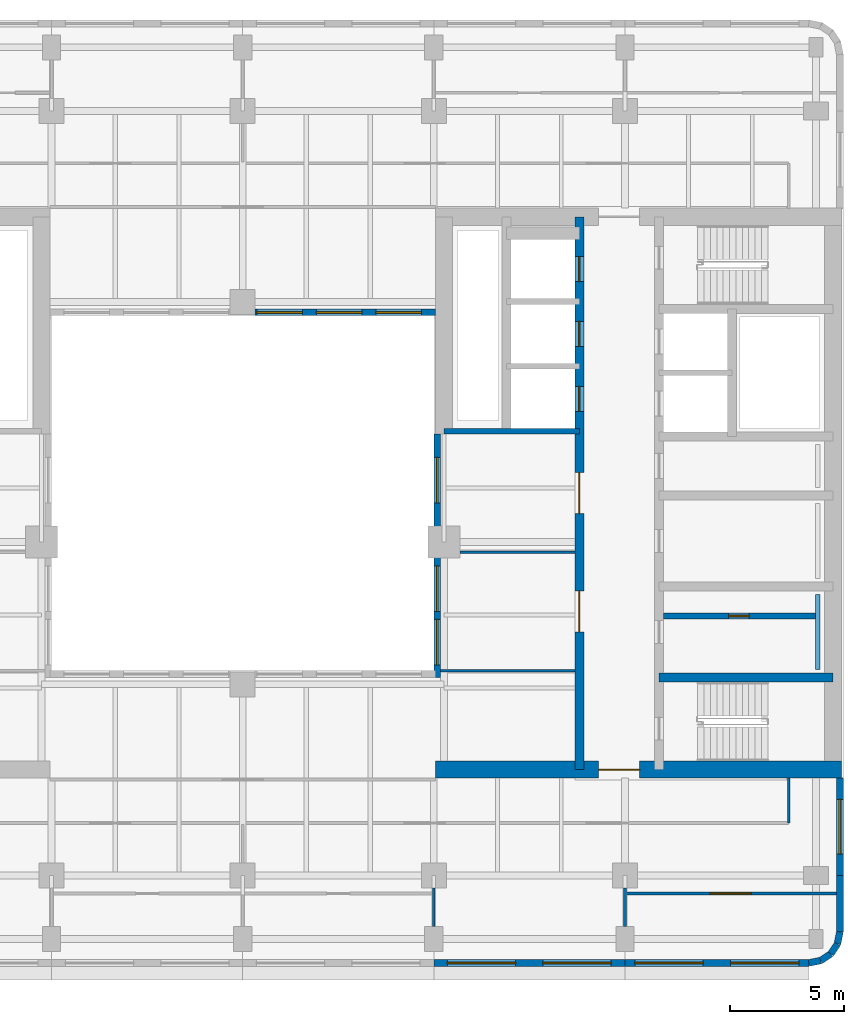
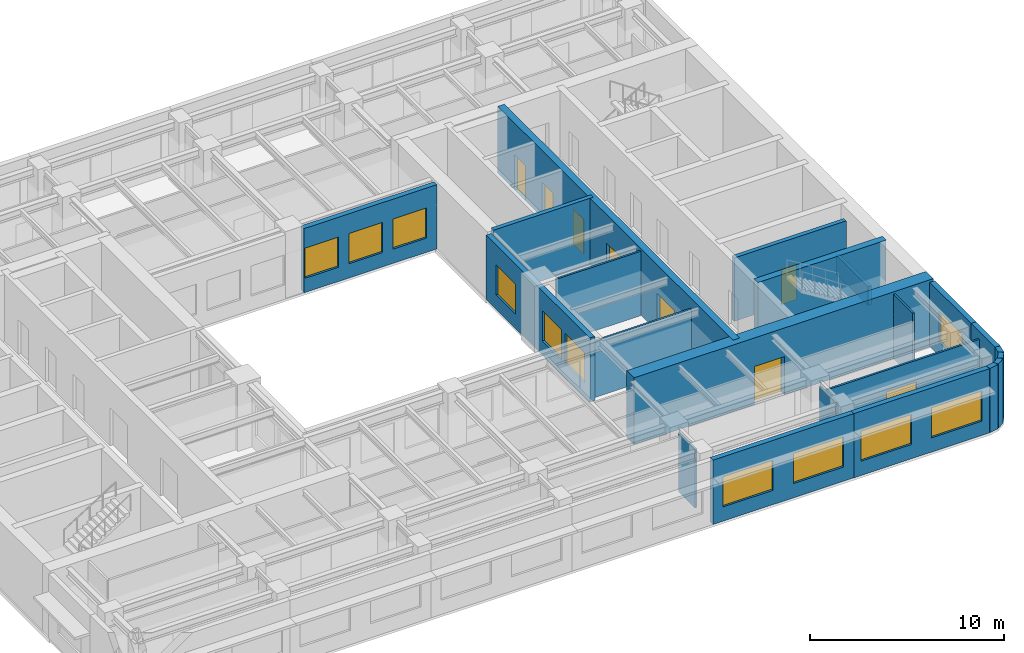
# One storey, part 5 of 11: 22 walls, 11 windows, 8 doors, 19 openings.
"""IFC4 building model written with IfcOpenShell, lengths in metres."""

from ifc_helpers import new_model, si_unit, direction, frame, frame_2d, origin, place, context, subcontext, project, spatial, rectangle, extrude, material, layer, layer_set, type_object, element, fill, save


model = new_model("IFC4")

# Units and contexts
model_context = context("Model", 3, precision=1e-05, world=origin(), true_north=direction((0.0, 1.0)))
body_context = subcontext(model_context, "Body", "Model", "MODEL_VIEW")
ifc_project = project(units=[si_unit("LENGTHUNIT", "METRE"), si_unit("AREAUNIT", "SQUARE_METRE"), si_unit("VOLUMEUNIT", "CUBIC_METRE"), si_unit("PLANEANGLEUNIT", "RADIAN"), si_unit("MASSUNIT", "GRAM", prefix="KILO")], contexts=[model_context])

# Site, building, storey
site_placement = place(None, origin())
site = spatial("IfcSite", under=ifc_project, at=site_placement, CompositionType="ELEMENT")
building_placement = place(site_placement, origin())
building = spatial("IfcBuilding", under=site, at=building_placement, Name="Claustro Exchange Tower", CompositionType="ELEMENT")
storey_placement = place(building_placement, frame((0.0, 0.0, 198.60009765625)))
storey = spatial("IfcBuildingStorey", under=building, at=storey_placement, Name="L45", CompositionType="ELEMENT", Elevation=198.60009765625)

# Walls
ifc_material_1 = material(Name="Laminated glass in aluminium frame", Category="aluminium")
ifc_layer_1 = layer(ifc_material_1, 0.1201171875)
ifc_layer_set_1 = layer_set([ifc_layer_1], Name="Laminated glass in aluminium frame")
wall_type_1 = type_object("IfcWallType", Name="P2 120 glazed partition", PredefinedType="PARTITIONING", material=ifc_layer_set_1)
wall_1_placement = place(storey_placement, frame((33.89794921875, 17.39990234375, 0.0), z_axis=(0.0, 0.0, 1.0), x_axis=(1.0, 0.0, 0.0)))
element("IfcWall", 1, at=wall_1_placement, inside=storey, type_object=wall_type_1, Name="Partition P2 L45", PredefinedType="PARTITIONING", context=body_context, shape_type="SweptSolid", body=[
    extrude(rectangle(XDim=5.904052734375, YDim=0.1201171875, at=frame_2d((2.9521484375, 0.0))), origin(), (0.0, 0.0, 1.0), 3.5498046875),
])
wall_2_placement = place(storey_placement, frame((34.7490234375, 22.60009765625, 0.0), z_axis=(0.0, 0.0, 1.0), x_axis=(1.0, 0.0, 0.0)))
element("IfcWall", 2, at=wall_2_placement, inside=storey, type_object=wall_type_1, Name="Partition P2 L45", PredefinedType="PARTITIONING", context=body_context, shape_type="SweptSolid", body=[
    extrude(rectangle(XDim=5.052978515625, YDim=0.1201171875, at=frame_2d((2.5263671875, 0.0))), origin(), (0.0, 0.0, 1.0), 4.0498046875),
])
wall_3_placement = place(storey_placement, frame((33.60009765625, 6.14892578125, 0.0), z_axis=(0.0, 0.0, 1.0), x_axis=(0.0, 1.0, 0.0)))
element("IfcWall", 3, at=wall_3_placement, inside=storey, type_object=wall_type_1, Name="Partition P2 L45", PredefinedType="PARTITIONING", context=body_context, shape_type="SweptSolid", body=[
    extrude(rectangle(XDim=1.703125, YDim=0.1201171875, at=frame_2d((0.8515625, 0.0))), origin(), (0.0, 0.0, 1.0), 3.68994140625),
])

# Wall, opening, door
wall_4_placement = place(storey_placement, frame((42.0, 7.60009765625, 0.0), z_axis=(0.0, 0.0, 1.0), x_axis=(1.0, 0.0, 0.0)))
wall_4 = element("IfcWall", 4, at=wall_4_placement, inside=storey, type_object=wall_type_1, Name="Partition P2 L45", PredefinedType="PARTITIONING", context=body_context, shape_type="SweptSolid", body=[
    extrude(rectangle(XDim=9.302001953125, YDim=0.1201171875, at=frame_2d((4.65087890625, 0.0))), origin(), (0.0, 0.0, 1.0), 3.559814453125),
])
opening_1_placement = place(wall_4_placement, frame((3.75, 0.0, 0.0)))
opening_1 = element("IfcOpeningElement", 5, at=opening_1_placement, cuts=wall_4, Name="Opening D2", PredefinedType="OPENING", context=body_context, shape_type="SweptSolid", body=[
    extrude(rectangle(XDim=1.800048828125, YDim=2.199951171875, at=frame_2d((0.89990234375, 1.10009765625))), frame((0.0, 0.070068359375, 0.0), z_axis=(0.0, -1.0, 0.0), x_axis=(1.0, 0.0, 0.0)), (0.0, 0.0, 1.0), 0.14013671875),
])
ifc_material_2 = material(Name="Timber door, oak veneer", Category="wood")
door_type_1 = type_object("IfcDoorType", Name="D2 1800 x 2200 double door", OperationType="DOUBLE_DOOR_SINGLE_SWING", PredefinedType="DOOR", material=ifc_material_2)
door_1_placement = place(opening_1_placement, frame((1.800048828125, 0.0, 0.0), z_axis=(0.0, 0.0, 1.0), x_axis=(-1.0, 0.0, 0.0)))
door_1 = element("IfcDoor", 6, at=door_1_placement, inside=storey, type_object=door_type_1, Name="Double door D2 L45", OperationType="DOUBLE_DOOR_SINGLE_SWING", OverallHeight=2.199951171875, OverallWidth=1.800048828125, PredefinedType="DOOR", context=body_context, shape_type="SweptSolid", body=[
    extrude(rectangle(XDim=1.800048828125, YDim=2.199951171875, at=frame_2d((0.89990234375, 1.10009765625))), frame((0.0, 0.02490234375, 0.0), z_axis=(0.0, -1.0, 0.0), x_axis=(1.0, 0.0, 0.0)), (0.0, 0.0, 1.0), 0.050048828125),
])
fill(opening_1, door_1)

# Walls
wall_5_placement = place(storey_placement, frame((42.0, 6.14892578125, 0.0), z_axis=(0.0, 0.0, 1.0), x_axis=(0.0, 1.0, 0.0)))
element("IfcWall", 7, at=wall_5_placement, inside=storey, type_object=wall_type_1, Name="Partition P2 L45", PredefinedType="PARTITIONING", context=body_context, shape_type="SweptSolid", body=[
    extrude(rectangle(XDim=1.703125, YDim=0.1201171875, at=frame_2d((0.8515625, 0.0))), origin(), (0.0, 0.0, 1.0), 3.68994140625),
])
wall_6_placement = place(storey_placement, frame((49.199951171875, 10.699951171875, 0.0), z_axis=(0.0, 0.0, 1.0), x_axis=(0.0, 1.0, 0.0)))
element("IfcWall", 8, at=wall_6_placement, inside=storey, type_object=wall_type_1, Name="Partition P2 L45", PredefinedType="PARTITIONING", context=body_context, shape_type="SweptSolid", body=[
    extrude(rectangle(XDim=1.97607421875, YDim=0.1201171875, at=frame_2d((0.988037109375, 0.0))), origin(), (0.0, 0.0, 1.0), 4.0498046875),
])

# Wall, opening, door
ifc_material_3 = material(Name="Concrete blockwork, rendered", Category="masonry")
ifc_layer_2 = layer(ifc_material_3, 0.25)
ifc_layer_set_2 = layer_set([ifc_layer_2], Name="Concrete blockwork, rendered")
wall_type_2 = type_object("IfcWallType", Name="P4 250 blockwork wall", PredefinedType="PARTITIONING", material=ifc_layer_set_2)
wall_7_placement = place(storey_placement, frame((43.699951171875, 19.800048828125, 0.0), z_axis=(0.0, 0.0, 1.0), x_axis=(1.0, 0.0, 0.0)))
wall_7 = element("IfcWall", 9, at=wall_7_placement, inside=storey, type_object=wall_type_2, Name="Partition P4 L45", PredefinedType="PARTITIONING", context=body_context, shape_type="SweptSolid", body=[
    extrude(rectangle(XDim=6.675048828125, YDim=0.25, at=frame_2d((3.33740234375, 0.0))), origin(), (0.0, 0.0, 1.0), 4.0),
])
opening_2_placement = place(wall_7_placement, frame((2.862548828125, 0.0, 0.0)))
opening_2 = element("IfcOpeningElement", 10, at=opening_2_placement, cuts=wall_7, Name="Opening D5", PredefinedType="OPENING", context=body_context, shape_type="SweptSolid", body=[
    extrude(rectangle(XDim=0.89990234375, YDim=2.199951171875, at=frame_2d((0.449951171875, 1.10009765625))), frame((0.0, 0.135009765625, 0.0), z_axis=(0.0, -1.0, 0.0), x_axis=(1.0, 0.0, 0.0)), (0.0, 0.0, 1.0), 0.27001953125),
])
ifc_material_4 = material(Name="Steel door, painted", Category="steel")
door_type_2 = type_object("IfcDoorType", Name="D5 900 x 2200 store door", OperationType="SINGLE_SWING_LEFT", PredefinedType="DOOR", material=ifc_material_4)
door_2_placement = place(opening_2_placement, origin())
door_2 = element("IfcDoor", 11, at=door_2_placement, inside=storey, type_object=door_type_2, Name="Store door D5 L45", OperationType="SINGLE_SWING_LEFT", OverallHeight=2.199951171875, OverallWidth=0.89990234375, PredefinedType="DOOR", context=body_context, shape_type="SweptSolid", body=[
    extrude(rectangle(XDim=0.89990234375, YDim=2.199951171875, at=frame_2d((0.449951171875, 1.10009765625))), frame((0.0, 0.02490234375, 0.0), z_axis=(0.0, -1.0, 0.0), x_axis=(1.0, 0.0, 0.0)), (0.0, 0.0, 1.0), 0.050048828125),
])
fill(opening_2, door_2)

# Wall, openings, windows
ifc_material_5 = material(Name="Concrete HA-40 (C40/50), precast, white cement, acid-etched", Category="concrete")
ifc_layer_3 = layer(ifc_material_5, 0.300048828125)
ifc_layer_set_3 = layer_set([ifc_layer_3], Name="Concrete HA-40 (C40/50), precast, white cement, acid-etched")
wall_type_3 = type_object("IfcWallType", Name="PC1 300 precast concrete pier panel", PredefinedType="SOLIDWALL", material=ifc_layer_set_3)
wall_8_placement = place(storey_placement, frame((50.085205078125, 4.550048828125, 0.0), z_axis=(0.0, 0.0, 1.0), x_axis=(-1.0, 0.0, 0.0)))
wall_8 = element("IfcWall", 12, at=wall_8_placement, inside=storey, type_object=wall_type_3, Name="Precast pier panel PC1 L45", PredefinedType="SOLIDWALL", context=body_context, shape_type="SweptSolid", body=[
    extrude(rectangle(XDim=8.085205078125, YDim=0.300048828125, at=frame_2d((4.04248046875, 0.0))), origin(), (0.0, 0.0, 1.0), 4.0498046875),
])
opening_3_placement = place(wall_8_placement, frame((0.442626953125, 0.0, 0.89990234375)))
opening_3 = element("IfcOpeningElement", 13, at=opening_3_placement, cuts=wall_8, Name="Opening W1", PredefinedType="OPENING", context=body_context, shape_type="SweptSolid", body=[
    extrude(rectangle(XDim=3.0, YDim=1.89990234375, at=frame_2d((1.5, 0.949951171875))), frame((0.0, 0.159912109375, 0.0), z_axis=(0.0, -1.0, 0.0), x_axis=(1.0, 0.0, 0.0)), (0.0, 0.0, 1.0), 0.320068359375),
])
opening_4_placement = place(wall_8_placement, frame((4.642578125, 0.0, 0.89990234375)))
opening_4 = element("IfcOpeningElement", 14, at=opening_4_placement, cuts=wall_8, Name="Opening W1", PredefinedType="OPENING", context=body_context, shape_type="SweptSolid", body=[
    extrude(rectangle(XDim=3.0, YDim=1.89990234375, at=frame_2d((1.5, 0.949951171875))), frame((0.0, 0.159912109375, 0.0), z_axis=(0.0, -1.0, 0.0), x_axis=(1.0, 0.0, 0.0)), (0.0, 0.0, 1.0), 0.320068359375),
])
ifc_material_6 = material(Name="Aluminium frame, clear double glazing", Category="aluminium")
window_type_1 = type_object("IfcWindowType", Name="W1 3000 x 1900 window", PartitioningType="SINGLE_PANEL", PredefinedType="WINDOW", material=ifc_material_6)
window_1_placement = place(opening_3_placement, origin())
window_1 = element("IfcWindow", 15, at=window_1_placement, inside=storey, type_object=window_type_1, Name="Window W1 L45", OverallHeight=1.89990234375, OverallWidth=3.0, PartitioningType="SINGLE_PANEL", PredefinedType="WINDOW", context=body_context, shape_type="SweptSolid", body=[
    extrude(rectangle(XDim=3.0, YDim=1.89990234375, at=frame_2d((1.5, 0.949951171875))), frame((0.0, 0.030029296875, 0.0), z_axis=(0.0, -1.0, 0.0), x_axis=(1.0, 0.0, 0.0)), (0.0, 0.0, 1.0), 0.06005859375),
])
fill(opening_3, window_1)
window_2_placement = place(opening_4_placement, origin())
window_2 = element("IfcWindow", 16, at=window_2_placement, inside=storey, type_object=window_type_1, Name="Window W1 L45", OverallHeight=1.89990234375, OverallWidth=3.0, PartitioningType="SINGLE_PANEL", PredefinedType="WINDOW", context=body_context, shape_type="SweptSolid", body=[
    extrude(rectangle(XDim=3.0, YDim=1.89990234375, at=frame_2d((1.5, 0.949951171875))), frame((0.0, 0.030029296875, 0.0), z_axis=(0.0, -1.0, 0.0), x_axis=(1.0, 0.0, 0.0)), (0.0, 0.0, 1.0), 0.06005859375),
])
fill(opening_4, window_2)

wall_9_placement = place(storey_placement, frame((42.0, 4.550048828125, 0.0), z_axis=(0.0, 0.0, 1.0), x_axis=(-1.0, 0.0, 0.0)))
wall_9 = element("IfcWall", 17, at=wall_9_placement, inside=storey, type_object=wall_type_3, Name="Precast pier panel PC1 L45", PredefinedType="SOLIDWALL", context=body_context, shape_type="SweptSolid", body=[
    extrude(rectangle(XDim=8.39990234375, YDim=0.300048828125, at=frame_2d((4.199951171875, 0.0))), origin(), (0.0, 0.0, 1.0), 4.0498046875),
])
opening_5_placement = place(wall_9_placement, frame((0.60009765625, 0.0, 0.89990234375)))
opening_5 = element("IfcOpeningElement", 18, at=opening_5_placement, cuts=wall_9, Name="Opening W1", PredefinedType="OPENING", context=body_context, shape_type="SweptSolid", body=[
    extrude(rectangle(XDim=3.0, YDim=1.89990234375, at=frame_2d((1.5, 0.949951171875))), frame((0.0, 0.159912109375, 0.0), z_axis=(0.0, -1.0, 0.0), x_axis=(1.0, 0.0, 0.0)), (0.0, 0.0, 1.0), 0.320068359375),
])
opening_6_placement = place(wall_9_placement, frame((4.800048828125, 0.0, 0.89990234375)))
opening_6 = element("IfcOpeningElement", 19, at=opening_6_placement, cuts=wall_9, Name="Opening W1", PredefinedType="OPENING", context=body_context, shape_type="SweptSolid", body=[
    extrude(rectangle(XDim=3.0, YDim=1.89990234375, at=frame_2d((1.5, 0.949951171875))), frame((0.0, 0.159912109375, 0.0), z_axis=(0.0, -1.0, 0.0), x_axis=(1.0, 0.0, 0.0)), (0.0, 0.0, 1.0), 0.320068359375),
])
window_3_placement = place(opening_5_placement, origin())
window_3 = element("IfcWindow", 20, at=window_3_placement, inside=storey, type_object=window_type_1, Name="Window W1 L45", OverallHeight=1.89990234375, OverallWidth=3.0, PartitioningType="SINGLE_PANEL", PredefinedType="WINDOW", context=body_context, shape_type="SweptSolid", body=[
    extrude(rectangle(XDim=3.0, YDim=1.89990234375, at=frame_2d((1.5, 0.949951171875))), frame((0.0, 0.030029296875, 0.0), z_axis=(0.0, -1.0, 0.0), x_axis=(1.0, 0.0, 0.0)), (0.0, 0.0, 1.0), 0.06005859375),
])
fill(opening_5, window_3)
window_4_placement = place(opening_6_placement, origin())
window_4 = element("IfcWindow", 21, at=window_4_placement, inside=storey, type_object=window_type_1, Name="Window W1 L45", OverallHeight=1.89990234375, OverallWidth=3.0, PartitioningType="SINGLE_PANEL", PredefinedType="WINDOW", context=body_context, shape_type="SweptSolid", body=[
    extrude(rectangle(XDim=3.0, YDim=1.89990234375, at=frame_2d((1.5, 0.949951171875))), frame((0.0, 0.030029296875, 0.0), z_axis=(0.0, -1.0, 0.0), x_axis=(1.0, 0.0, 0.0)), (0.0, 0.0, 1.0), 0.06005859375),
])
fill(opening_6, window_4)

# Wall, opening, window
wall_10_placement = place(storey_placement, frame((51.449951171875, 12.675048828125, 0.0), z_axis=(0.0, 0.0, 1.0), x_axis=(0.0, -1.0, 0.0)))
wall_10 = element("IfcWall", 22, at=wall_10_placement, inside=storey, type_object=wall_type_3, Name="Precast pier panel PC1 L45", PredefinedType="SOLIDWALL", context=body_context, shape_type="SweptSolid", body=[
    extrude(rectangle(XDim=4.275146484375, YDim=0.300048828125, at=frame_2d((2.1376953125, 0.0))), origin(), (0.0, 0.0, 1.0), 4.0498046875),
])
opening_7_placement = place(wall_10_placement, frame((0.9375, 0.0, 0.89990234375)))
opening_7 = element("IfcOpeningElement", 23, at=opening_7_placement, cuts=wall_10, Name="Opening W2", PredefinedType="OPENING", context=body_context, shape_type="SweptSolid", body=[
    extrude(rectangle(XDim=2.39990234375, YDim=1.89990234375, at=frame_2d((1.199951171875, 0.949951171875))), frame((0.0, 0.159912109375, 0.0), z_axis=(0.0, -1.0, 0.0), x_axis=(1.0, 0.0, 0.0)), (0.0, 0.0, 1.0), 0.320068359375),
])
ifc_material_7 = material(Name="Aluminium frame, clear double glazing", Category="aluminium")
window_type_2 = type_object("IfcWindowType", Name="W2 2400 x 1900 window", PartitioningType="SINGLE_PANEL", PredefinedType="WINDOW", material=ifc_material_7)
window_5_placement = place(opening_7_placement, origin())
window_5 = element("IfcWindow", 24, at=window_5_placement, inside=storey, type_object=window_type_2, Name="Window W2 L45", OverallHeight=1.89990234375, OverallWidth=2.39990234375, PartitioningType="SINGLE_PANEL", PredefinedType="WINDOW", context=body_context, shape_type="SweptSolid", body=[
    extrude(rectangle(XDim=2.39990234375, YDim=1.89990234375, at=frame_2d((1.199951171875, 0.949951171875))), frame((0.0, 0.030029296875, 0.0), z_axis=(0.0, -1.0, 0.0), x_axis=(1.0, 0.0, 0.0)), (0.0, 0.0, 1.0), 0.06005859375),
])
fill(opening_7, window_5)

# Walls
wall_11_placement = place(storey_placement, frame((51.449951171875, 8.39990234375, 0.0), z_axis=(0.0, 0.0, 1.0), x_axis=(0.0, -1.0, 0.0)))
element("IfcWall", 25, at=wall_11_placement, inside=storey, type_object=wall_type_3, Name="Precast pier panel PC1 L45", PredefinedType="SOLIDWALL", context=body_context, shape_type="SweptSolid", body=[
    extrude(rectangle(XDim=2.485107421875, YDim=0.300048828125, at=frame_2d((1.24267578125, 0.0))), origin(), (0.0, 0.0, 1.0), 4.0498046875),
])
wall_12_placement = place(storey_placement, frame((51.449951171875, 5.914794921875, 0.0), z_axis=(0.0, 0.0, 1.0), x_axis=(-0.195073962632, -0.980788534345, 0.0)))
element("IfcWall", 26, at=wall_12_placement, inside=storey, type_object=wall_type_3, Name="Precast pier panel PC1 L45", PredefinedType="SOLIDWALL", context=body_context, shape_type="SweptSolid", body=[
    extrude(rectangle(XDim=0.540771484375, YDim=0.300048828125, at=frame_2d((0.2705078125, 0.0))), origin(), (0.0, 0.0, 1.0), 4.0498046875),
])
for number, where, z_axis, x_axis, name in (
    (27, (51.344482421875, 5.384521484375, 0.0), (0.0, 0.0, 1.0), (-0.555557463938, -0.831478144188, 0.0), "Precast pier panel PC1 L45"),
    (28, (51.052490234375, 4.947509765625, 0.0), (0.0, 0.0, 1.0), (-0.831478144188, -0.555557463938, 0.0), "Precast pier panel PC1 L45"),
):
    element("IfcWall", number, at=place(storey_placement, frame(where, z_axis=z_axis, x_axis=x_axis)), inside=storey, type_object=wall_type_3, Name=name, PredefinedType="SOLIDWALL", context=body_context, shape_type="SweptSolid", body=[
        extrude(rectangle(XDim=0.525634765625, YDim=0.300048828125, at=frame_2d((0.2626953125, 0.0))), origin(), (0.0, 0.0, 1.0), 4.0498046875),
    ])
wall_13_placement = place(storey_placement, frame((50.615478515625, 4.655517578125, 0.0), z_axis=(0.0, 0.0, 1.0), x_axis=(-0.980788534345, -0.195073962632, 0.0)))
element("IfcWall", 29, at=wall_13_placement, inside=storey, type_object=wall_type_3, Name="Precast pier panel PC1 L45", PredefinedType="SOLIDWALL", context=body_context, shape_type="SweptSolid", body=[
    extrude(rectangle(XDim=0.540771484375, YDim=0.300048828125, at=frame_2d((0.2705078125, 0.0))), origin(), (0.0, 0.0, 1.0), 4.0498046875),
])

# Wall, openings, windows
wall_14_placement = place(storey_placement, frame((33.75, 17.10009765625, 0.0), z_axis=(0.0, 0.0, 1.0), x_axis=(0.0, 1.0, 0.0)))
wall_14 = element("IfcWall", 30, at=wall_14_placement, inside=storey, type_object=wall_type_3, Name="Precast pier panel PC1 L45", PredefinedType="SOLIDWALL", context=body_context, shape_type="SweptSolid", body=[
    extrude(rectangle(XDim=10.699951171875, YDim=0.300048828125, at=frame_2d((5.35009765625, 0.0))), origin(), (0.0, 0.0, 1.0), 4.0498046875),
])
opening_8_placement = place(wall_14_placement, frame((0.550048828125, 0.0, 0.89990234375)))
opening_8 = element("IfcOpeningElement", 31, at=opening_8_placement, cuts=wall_14, Name="Opening W4", PredefinedType="OPENING", context=body_context, shape_type="SweptSolid", body=[
    extrude(rectangle(XDim=2.0, YDim=1.89990234375, at=frame_2d((1.0, 0.949951171875))), frame((0.0, 0.159912109375, 0.0), z_axis=(0.0, -1.0, 0.0), x_axis=(1.0, 0.0, 0.0)), (0.0, 0.0, 1.0), 0.320068359375),
])
opening_9_placement = place(wall_14_placement, frame((2.89990234375, 0.0, 0.89990234375)))
opening_9 = element("IfcOpeningElement", 32, at=opening_9_placement, cuts=wall_14, Name="Opening W4", PredefinedType="OPENING", context=body_context, shape_type="SweptSolid", body=[
    extrude(rectangle(XDim=2.0, YDim=1.89990234375, at=frame_2d((1.0, 0.949951171875))), frame((0.0, 0.159912109375, 0.0), z_axis=(0.0, -1.0, 0.0), x_axis=(1.0, 0.0, 0.0)), (0.0, 0.0, 1.0), 0.320068359375),
])
opening_10_placement = place(wall_14_placement, frame((7.675048828125, 0.0, 0.89990234375)))
opening_10 = element("IfcOpeningElement", 33, at=opening_10_placement, cuts=wall_14, Name="Opening W4", PredefinedType="OPENING", context=body_context, shape_type="SweptSolid", body=[
    extrude(rectangle(XDim=2.0, YDim=1.89990234375, at=frame_2d((1.0, 0.949951171875))), frame((0.0, 0.159912109375, 0.0), z_axis=(0.0, -1.0, 0.0), x_axis=(1.0, 0.0, 0.0)), (0.0, 0.0, 1.0), 0.320068359375),
])
ifc_material_8 = material(Name="Aluminium frame, clear double glazing", Category="aluminium")
window_type_3 = type_object("IfcWindowType", Name="W4 2000 x 1900 light well window", PartitioningType="SINGLE_PANEL", PredefinedType="WINDOW", material=ifc_material_8)
window_6_placement = place(opening_8_placement, origin())
window_6 = element("IfcWindow", 34, at=window_6_placement, inside=storey, type_object=window_type_3, Name="Window W4 L45", OverallHeight=1.89990234375, OverallWidth=2.0, PartitioningType="SINGLE_PANEL", PredefinedType="WINDOW", context=body_context, shape_type="SweptSolid", body=[
    extrude(rectangle(XDim=2.0, YDim=1.89990234375, at=frame_2d((1.0, 0.949951171875))), frame((0.0, 0.030029296875, 0.0), z_axis=(0.0, -1.0, 0.0), x_axis=(1.0, 0.0, 0.0)), (0.0, 0.0, 1.0), 0.06005859375),
])
fill(opening_8, window_6)
window_7_placement = place(opening_9_placement, origin())
window_7 = element("IfcWindow", 35, at=window_7_placement, inside=storey, type_object=window_type_3, Name="Window W4 L45", OverallHeight=1.89990234375, OverallWidth=2.0, PartitioningType="SINGLE_PANEL", PredefinedType="WINDOW", context=body_context, shape_type="SweptSolid", body=[
    extrude(rectangle(XDim=2.0, YDim=1.89990234375, at=frame_2d((1.0, 0.949951171875))), frame((0.0, 0.030029296875, 0.0), z_axis=(0.0, -1.0, 0.0), x_axis=(1.0, 0.0, 0.0)), (0.0, 0.0, 1.0), 0.06005859375),
])
fill(opening_9, window_7)
window_8_placement = place(opening_10_placement, origin())
window_8 = element("IfcWindow", 36, at=window_8_placement, inside=storey, type_object=window_type_3, Name="Window W4 L45", OverallHeight=1.89990234375, OverallWidth=2.0, PartitioningType="SINGLE_PANEL", PredefinedType="WINDOW", context=body_context, shape_type="SweptSolid", body=[
    extrude(rectangle(XDim=2.0, YDim=1.89990234375, at=frame_2d((1.0, 0.949951171875))), frame((0.0, 0.030029296875, 0.0), z_axis=(0.0, -1.0, 0.0), x_axis=(1.0, 0.0, 0.0)), (0.0, 0.0, 1.0), 0.06005859375),
])
fill(opening_10, window_8)

wall_15_placement = place(storey_placement, frame((25.75, 33.14990234375, 0.0), z_axis=(0.0, 0.0, 1.0), x_axis=(1.0, 0.0, 0.0)))
wall_15 = element("IfcWall", 37, at=wall_15_placement, inside=storey, type_object=wall_type_3, Name="Precast pier panel PC1 L45", PredefinedType="SOLIDWALL", context=body_context, shape_type="SweptSolid", body=[
    extrude(rectangle(XDim=7.925048828125, YDim=0.300048828125, at=frame_2d((3.96240234375, 0.0))), origin(), (0.0, 0.0, 1.0), 4.0498046875),
])
opening_11_placement = place(wall_15_placement, frame((0.068603515625, 0.0, 0.89990234375)))
opening_11 = element("IfcOpeningElement", 38, at=opening_11_placement, cuts=wall_15, Name="Opening W4", PredefinedType="OPENING", context=body_context, shape_type="SweptSolid", body=[
    extrude(rectangle(XDim=2.0, YDim=1.89990234375, at=frame_2d((1.0, 0.949951171875))), frame((0.0, 0.159912109375, 0.0), z_axis=(0.0, -1.0, 0.0), x_axis=(1.0, 0.0, 0.0)), (0.0, 0.0, 1.0), 0.320068359375),
])
opening_12_placement = place(wall_15_placement, frame((2.6875, 0.0, 0.89990234375)))
opening_12 = element("IfcOpeningElement", 39, at=opening_12_placement, cuts=wall_15, Name="Opening W4", PredefinedType="OPENING", context=body_context, shape_type="SweptSolid", body=[
    extrude(rectangle(XDim=2.0, YDim=1.89990234375, at=frame_2d((1.0, 0.949951171875))), frame((0.0, 0.159912109375, 0.0), z_axis=(0.0, -1.0, 0.0), x_axis=(1.0, 0.0, 0.0)), (0.0, 0.0, 1.0), 0.320068359375),
])
opening_13_placement = place(wall_15_placement, frame((5.30615234375, 0.0, 0.89990234375)))
opening_13 = element("IfcOpeningElement", 40, at=opening_13_placement, cuts=wall_15, Name="Opening W4", PredefinedType="OPENING", context=body_context, shape_type="SweptSolid", body=[
    extrude(rectangle(XDim=2.0, YDim=1.89990234375, at=frame_2d((1.0, 0.949951171875))), frame((0.0, 0.159912109375, 0.0), z_axis=(0.0, -1.0, 0.0), x_axis=(1.0, 0.0, 0.0)), (0.0, 0.0, 1.0), 0.320068359375),
])
window_9_placement = place(opening_11_placement, origin())
window_9 = element("IfcWindow", 41, at=window_9_placement, inside=storey, type_object=window_type_3, Name="Window W4 L45", OverallHeight=1.89990234375, OverallWidth=2.0, PartitioningType="SINGLE_PANEL", PredefinedType="WINDOW", context=body_context, shape_type="SweptSolid", body=[
    extrude(rectangle(XDim=2.0, YDim=1.89990234375, at=frame_2d((1.0, 0.949951171875))), frame((0.0, 0.030029296875, 0.0), z_axis=(0.0, -1.0, 0.0), x_axis=(1.0, 0.0, 0.0)), (0.0, 0.0, 1.0), 0.06005859375),
])
fill(opening_11, window_9)
window_10_placement = place(opening_12_placement, origin())
window_10 = element("IfcWindow", 42, at=window_10_placement, inside=storey, type_object=window_type_3, Name="Window W4 L45", OverallHeight=1.89990234375, OverallWidth=2.0, PartitioningType="SINGLE_PANEL", PredefinedType="WINDOW", context=body_context, shape_type="SweptSolid", body=[
    extrude(rectangle(XDim=2.0, YDim=1.89990234375, at=frame_2d((1.0, 0.949951171875))), frame((0.0, 0.030029296875, 0.0), z_axis=(0.0, -1.0, 0.0), x_axis=(1.0, 0.0, 0.0)), (0.0, 0.0, 1.0), 0.06005859375),
])
fill(opening_12, window_10)
window_11_placement = place(opening_13_placement, origin())
window_11 = element("IfcWindow", 43, at=window_11_placement, inside=storey, type_object=window_type_3, Name="Window W4 L45", OverallHeight=1.89990234375, OverallWidth=2.0, PartitioningType="SINGLE_PANEL", PredefinedType="WINDOW", context=body_context, shape_type="SweptSolid", body=[
    extrude(rectangle(XDim=2.0, YDim=1.89990234375, at=frame_2d((1.0, 0.949951171875))), frame((0.0, 0.030029296875, 0.0), z_axis=(0.0, -1.0, 0.0), x_axis=(1.0, 0.0, 0.0)), (0.0, 0.0, 1.0), 0.06005859375),
])
fill(opening_13, window_11)

# Wall
ifc_material_9 = material(Name="Gypsum board on steel studs, tiled", Category="steel")
ifc_layer_4 = layer(ifc_material_9, 0.199951171875)
ifc_layer_set_4 = layer_set([ifc_layer_4], Name="Gypsum board on steel studs, tiled")
wall_type_4 = type_object("IfcWallType", Name="PW1 200 WC duct wall", PredefinedType="PLUMBINGWALL", material=ifc_layer_set_4)
wall_16_placement = place(storey_placement, frame((50.47509765625, 17.449951171875, 0.0), z_axis=(0.0, 0.0, 1.0), x_axis=(0.0, 1.0, 0.0)))
element("IfcWall", 44, at=wall_16_placement, inside=storey, type_object=wall_type_4, Name="WC duct wall PW1 L45", PredefinedType="PLUMBINGWALL", context=body_context, shape_type="SweptSolid", body=[
    extrude(rectangle(XDim=3.300048828125, YDim=0.199951171875, at=frame_2d((1.64990234375, 0.0))), origin(), (0.0, 0.0, 1.0), 1.199951171875),
])

# Wall, opening, door
ifc_material_10 = material(Name="Concrete HA-70 (C70/85)", Category="concrete")
ifc_layer_5 = layer(ifc_material_10, 0.75)
ifc_layer_set_5 = layer_set([ifc_layer_5], Name="Concrete HA-70 (C70/85)")
wall_type_5 = type_object("IfcWallType", Name="SW2 750 core shear wall", PredefinedType="SHEAR", material=ifc_layer_set_5)
wall_17_placement = place(storey_placement, frame((33.675048828125, 13.050048828125, 0.0), z_axis=(0.0, 0.0, 1.0), x_axis=(1.0, 0.0, 0.0)))
wall_17 = element("IfcWall", 45, at=wall_17_placement, inside=storey, type_object=wall_type_5, Name="Core wall SW2 E core S face L45", PredefinedType="SHEAR", context=body_context, shape_type="SweptSolid", body=[
    extrude(rectangle(XDim=17.849853515625, YDim=0.75, at=frame_2d((8.9248046875, 0.0))), origin(), (0.0, 0.0, 1.0), 4.199951171875),
])
opening_14_placement = place(wall_17_placement, frame((7.175048828125, 0.0, 0.0)))
opening_14 = element("IfcOpeningElement", 46, at=opening_14_placement, cuts=wall_17, Name="Opening D3", PredefinedType="OPENING", context=body_context, shape_type="SweptSolid", body=[
    extrude(rectangle(XDim=1.800048828125, YDim=2.39990234375, at=frame_2d((0.89990234375, 1.199951171875))), frame((0.0, 0.385009765625, 0.0), z_axis=(0.0, -1.0, 0.0), x_axis=(1.0, 0.0, 0.0)), (0.0, 0.0, 1.0), 0.77001953125),
])
ifc_material_11 = material(Name="Steel fire door, painted", Category="steel")
door_type_3 = type_object("IfcDoorType", Name="D3 1800 x 2400 fire-rated lobby double door", OperationType="DOUBLE_DOOR_SINGLE_SWING", PredefinedType="DOOR", material=ifc_material_11)
door_3_placement = place(opening_14_placement, origin())
door_3 = element("IfcDoor", 47, at=door_3_placement, inside=storey, type_object=door_type_3, Name="Lift lobby door D3 L45", OperationType="DOUBLE_DOOR_SINGLE_SWING", OverallHeight=2.39990234375, OverallWidth=1.800048828125, PredefinedType="DOOR", context=body_context, shape_type="SweptSolid", body=[
    extrude(rectangle(XDim=1.800048828125, YDim=2.39990234375, at=frame_2d((0.89990234375, 1.199951171875))), frame((0.0, 0.02490234375, 0.0), z_axis=(0.0, -1.0, 0.0), x_axis=(1.0, 0.0, 0.0)), (0.0, 0.0, 1.0), 0.050048828125),
])
fill(opening_14, door_3)

# Wall, openings, doors
ifc_material_12 = material(Name="Concrete HA-50 (C50/60)", Category="concrete")
ifc_layer_6 = layer(ifc_material_12, 0.39990234375)
ifc_layer_set_6 = layer_set([ifc_layer_6], Name="Concrete HA-50 (C50/60)")
wall_type_6 = type_object("IfcWallType", Name="SW4 400 internal core wall", PredefinedType="SHEAR", material=ifc_layer_set_6)
wall_18_placement = place(storey_placement, frame((40.0, 13.050048828125, 0.0), z_axis=(0.0, 0.0, 1.0), x_axis=(0.0, 1.0, 0.0)))
wall_18 = element("IfcWall", 48, at=wall_18_placement, inside=storey, type_object=wall_type_6, Name="Internal core wall SW4 E core L45", PredefinedType="SHEAR", context=body_context, shape_type="SweptSolid", body=[
    extrude(rectangle(XDim=24.300048828125, YDim=0.39990234375, at=frame_2d((12.14990234375, 0.0))), origin(), (0.0, 0.0, 1.0), 4.199951171875),
])
opening_15_placement = place(wall_18_placement, frame((15.75, 0.0, 0.0)))
opening_15 = element("IfcOpeningElement", 49, at=opening_15_placement, cuts=wall_18, Name="Opening LD", PredefinedType="OPENING", context=body_context, shape_type="SweptSolid", body=[
    extrude(rectangle(XDim=1.10009765625, YDim=2.199951171875, at=frame_2d((0.550048828125, 1.10009765625))), frame((0.0, 0.2099609375, 0.0), z_axis=(0.0, -1.0, 0.0), x_axis=(1.0, 0.0, 0.0)), (0.0, 0.0, 1.0), 0.419921875),
])
opening_16_placement = place(wall_18_placement, frame((18.60009765625, 0.0, 0.0)))
opening_16 = element("IfcOpeningElement", 50, at=opening_16_placement, cuts=wall_18, Name="Opening LD", PredefinedType="OPENING", context=body_context, shape_type="SweptSolid", body=[
    extrude(rectangle(XDim=1.10009765625, YDim=2.199951171875, at=frame_2d((0.550048828125, 1.10009765625))), frame((0.0, 0.2099609375, 0.0), z_axis=(0.0, -1.0, 0.0), x_axis=(1.0, 0.0, 0.0)), (0.0, 0.0, 1.0), 0.419921875),
])
opening_17_placement = place(wall_18_placement, frame((21.449951171875, 0.0, 0.0)))
opening_17 = element("IfcOpeningElement", 51, at=opening_17_placement, cuts=wall_18, Name="Opening LD", PredefinedType="OPENING", context=body_context, shape_type="SweptSolid", body=[
    extrude(rectangle(XDim=1.10009765625, YDim=2.199951171875, at=frame_2d((0.550048828125, 1.10009765625))), frame((0.0, 0.2099609375, 0.0), z_axis=(0.0, -1.0, 0.0), x_axis=(1.0, 0.0, 0.0)), (0.0, 0.0, 1.0), 0.419921875),
])
opening_18_placement = place(wall_18_placement, frame((6.050048828125, 0.0, 0.0)))
opening_18 = element("IfcOpeningElement", 52, at=opening_18_placement, cuts=wall_18, Name="Opening D3", PredefinedType="OPENING", context=body_context, shape_type="SweptSolid", body=[
    extrude(rectangle(XDim=1.800048828125, YDim=2.39990234375, at=frame_2d((0.89990234375, 1.199951171875))), frame((0.0, 0.2099609375, 0.0), z_axis=(0.0, -1.0, 0.0), x_axis=(1.0, 0.0, 0.0)), (0.0, 0.0, 1.0), 0.419921875),
])
opening_19_placement = place(wall_18_placement, frame((11.25, 0.0, 0.0)))
opening_19 = element("IfcOpeningElement", 53, at=opening_19_placement, cuts=wall_18, Name="Opening D3", PredefinedType="OPENING", context=body_context, shape_type="SweptSolid", body=[
    extrude(rectangle(XDim=1.800048828125, YDim=2.39990234375, at=frame_2d((0.89990234375, 1.199951171875))), frame((0.0, 0.2099609375, 0.0), z_axis=(0.0, -1.0, 0.0), x_axis=(1.0, 0.0, 0.0)), (0.0, 0.0, 1.0), 0.419921875),
])
door_4_placement = place(opening_18_placement, origin())
door_4 = element("IfcDoor", 54, at=door_4_placement, inside=storey, type_object=door_type_3, Name="Core zone door D3 L45", OperationType="DOUBLE_DOOR_SINGLE_SWING", OverallHeight=2.39990234375, OverallWidth=1.800048828125, PredefinedType="DOOR", context=body_context, shape_type="SweptSolid", body=[
    extrude(rectangle(XDim=1.800048828125, YDim=2.39990234375, at=frame_2d((0.89990234375, 1.199951171875))), frame((0.0, 0.02490234375, 0.0), z_axis=(0.0, -1.0, 0.0), x_axis=(1.0, 0.0, 0.0)), (0.0, 0.0, 1.0), 0.050048828125),
])
fill(opening_18, door_4)
door_5_placement = place(opening_19_placement, origin())
door_5 = element("IfcDoor", 55, at=door_5_placement, inside=storey, type_object=door_type_3, Name="Core zone door D3 L45", OperationType="DOUBLE_DOOR_SINGLE_SWING", OverallHeight=2.39990234375, OverallWidth=1.800048828125, PredefinedType="DOOR", context=body_context, shape_type="SweptSolid", body=[
    extrude(rectangle(XDim=1.800048828125, YDim=2.39990234375, at=frame_2d((0.89990234375, 1.199951171875))), frame((0.0, 0.02490234375, 0.0), z_axis=(0.0, -1.0, 0.0), x_axis=(1.0, 0.0, 0.0)), (0.0, 0.0, 1.0), 0.050048828125),
])
fill(opening_19, door_5)
ifc_material_13 = material(Name="Stainless steel sliding door", Category="steel")
door_type_4 = type_object("IfcDoorType", Name="LD 1100 x 2200 lift landing door", OperationType="DOUBLE_DOOR_SLIDING", PredefinedType="DOOR", material=ifc_material_13)
door_6_placement = place(opening_15_placement, origin())
door_6 = element("IfcDoor", 56, at=door_6_placement, inside=storey, type_object=door_type_4, Name="Lift landing door LHE1 LD L45", OperationType="DOUBLE_DOOR_SLIDING", OverallHeight=2.199951171875, OverallWidth=1.10009765625, PredefinedType="DOOR", context=body_context, shape_type="SweptSolid", body=[
    extrude(rectangle(XDim=1.10009765625, YDim=2.199951171875, at=frame_2d((0.550048828125, 1.10009765625))), frame((0.0, 0.02490234375, 0.0), z_axis=(0.0, -1.0, 0.0), x_axis=(1.0, 0.0, 0.0)), (0.0, 0.0, 1.0), 0.050048828125),
])
fill(opening_15, door_6)
door_7_placement = place(opening_16_placement, origin())
door_7 = element("IfcDoor", 57, at=door_7_placement, inside=storey, type_object=door_type_4, Name="Lift landing door LHE2 LD L45", OperationType="DOUBLE_DOOR_SLIDING", OverallHeight=2.199951171875, OverallWidth=1.10009765625, PredefinedType="DOOR", context=body_context, shape_type="SweptSolid", body=[
    extrude(rectangle(XDim=1.10009765625, YDim=2.199951171875, at=frame_2d((0.550048828125, 1.10009765625))), frame((0.0, 0.02490234375, 0.0), z_axis=(0.0, -1.0, 0.0), x_axis=(1.0, 0.0, 0.0)), (0.0, 0.0, 1.0), 0.050048828125),
])
fill(opening_16, door_7)
door_8_placement = place(opening_17_placement, origin())
door_8 = element("IfcDoor", 58, at=door_8_placement, inside=storey, type_object=door_type_4, Name="Lift landing door LSE1 LD L45", OperationType="DOUBLE_DOOR_SLIDING", OverallHeight=2.199951171875, OverallWidth=1.10009765625, PredefinedType="DOOR", context=body_context, shape_type="SweptSolid", body=[
    extrude(rectangle(XDim=1.10009765625, YDim=2.199951171875, at=frame_2d((0.550048828125, 1.10009765625))), frame((0.0, 0.02490234375, 0.0), z_axis=(0.0, -1.0, 0.0), x_axis=(1.0, 0.0, 0.0)), (0.0, 0.0, 1.0), 0.050048828125),
])
fill(opening_17, door_8)

# Walls
wall_19_placement = place(storey_placement, frame((51.14990234375, 17.10009765625, 0.0), z_axis=(0.0, 0.0, 1.0), x_axis=(-1.0, 0.0, 0.0)))
element("IfcWall", 59, at=wall_19_placement, inside=storey, type_object=wall_type_6, Name="Internal core wall SW4 E core L45", PredefinedType="SHEAR", context=body_context, shape_type="SweptSolid", body=[
    extrude(rectangle(XDim=7.64990234375, YDim=0.39990234375, at=frame_2d((3.824951171875, 0.0))), origin(), (0.0, 0.0, 1.0), 4.199951171875),
])
ifc_material_14 = material(Name="Concrete HA-50 (C50/60)", Category="concrete")
ifc_layer_7 = layer(ifc_material_14, 0.25)
ifc_layer_set_7 = layer_set([ifc_layer_7], Name="Concrete HA-50 (C50/60)")
wall_type_7 = type_object("IfcWallType", Name="SW5 250 lift shaft divider wall", PredefinedType="SHEAR", material=ifc_layer_set_7)
wall_20_placement = place(storey_placement, frame((40.0, 27.925048828125, 0.0), z_axis=(0.0, 0.0, 1.0), x_axis=(-1.0, 0.0, 0.0)))
element("IfcWall", 60, at=wall_20_placement, inside=storey, type_object=wall_type_7, Name="Core step wall E core L45", PredefinedType="SHEAR", context=body_context, shape_type="SweptSolid", body=[
    extrude(rectangle(XDim=5.949951171875, YDim=0.25, at=frame_2d((2.97509765625, 0.0))), origin(), (0.0, 0.0, 1.0), 4.199951171875),
])

save(model, "model.ifc")
